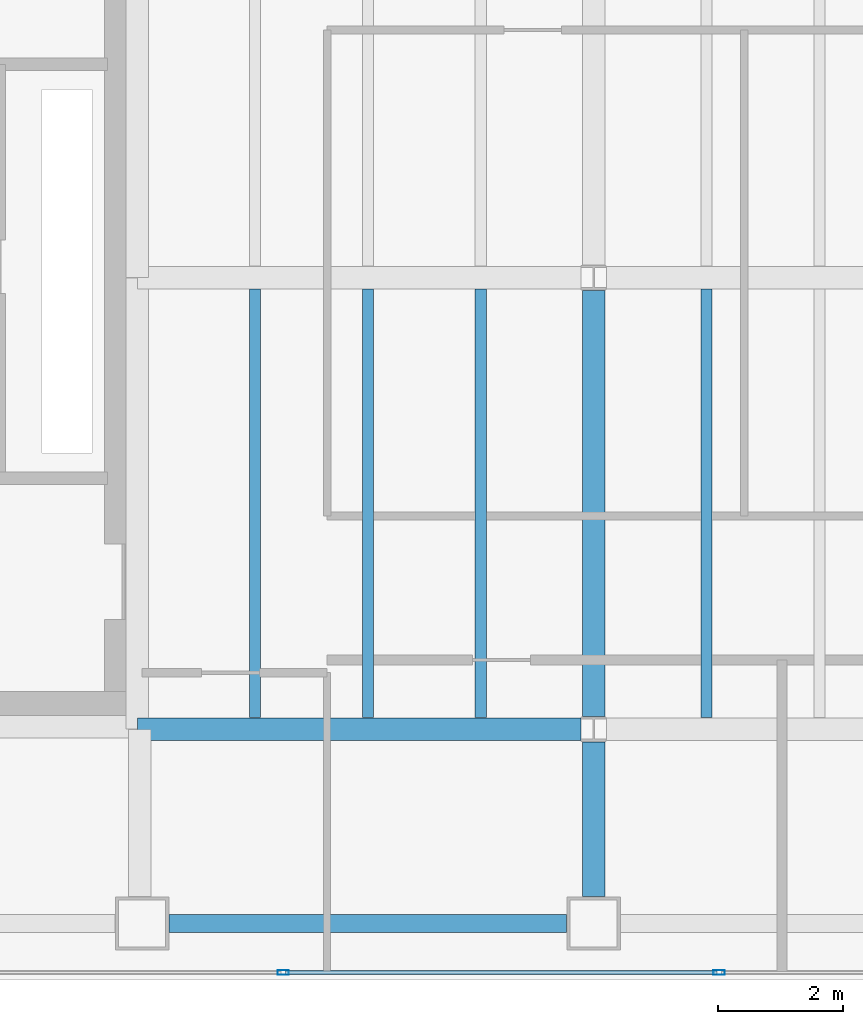
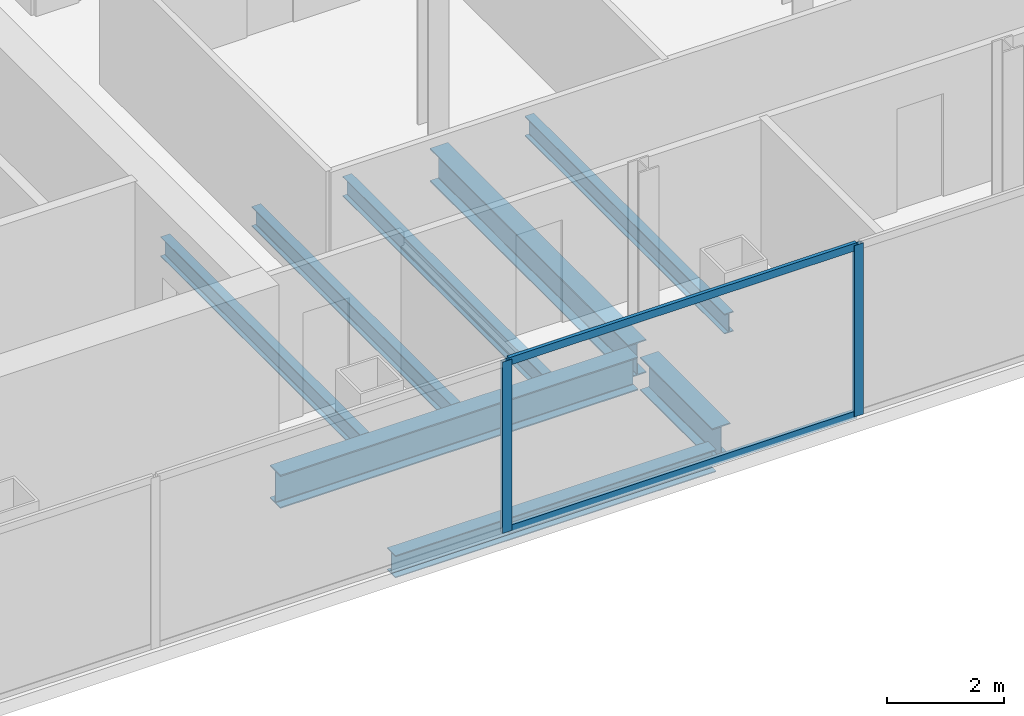
# One storey, part 4 of 23: 8 beams, 4 members, 1 element without a shape of its own.
"""IFC4 building model written with IfcOpenShell, lengths in metres."""

from ifc_helpers import new_model, si_unit, direction, frame, origin, origin_2d, place, context, subcontext, project, spatial, hollow_rectangle, i_section, extrude, material, material_profile, profile_set, type_object, element, aggregate, save


model = new_model("IFC4")

# Units and contexts
model_context = context("Model", 3, precision=1e-05, world=origin(), true_north=direction((0.0, 1.0)))
body_context = subcontext(model_context, "Body", "Model", "MODEL_VIEW")
ifc_project = project(units=[si_unit("LENGTHUNIT", "METRE"), si_unit("AREAUNIT", "SQUARE_METRE"), si_unit("VOLUMEUNIT", "CUBIC_METRE"), si_unit("PLANEANGLEUNIT", "RADIAN"), si_unit("MASSUNIT", "GRAM", prefix="KILO")], contexts=[model_context])

# Site, building, storey
site_placement = place(None, origin())
site = spatial("IfcSite", under=ifc_project, at=site_placement, CompositionType="ELEMENT")
building_placement = place(site_placement, origin())
building = spatial("IfcBuilding", under=site, at=building_placement, Name="Cobrela Telecom Tower", CompositionType="ELEMENT")
storey_placement = place(building_placement, frame((0.0, 0.0, 156.10009765625)))
storey = spatial("IfcBuildingStorey", under=building, at=storey_placement, Name="L39", CompositionType="ELEMENT", Elevation=156.10009765625)

# Beams
ifc_material_1 = material(Name="Steel ASTM A992 Grade 50", Category="steel")
ifc_material_profile_1 = material_profile(ifc_material_1, i_section(OverallWidth=0.35595703125, OverallDepth=0.696044921875, WebThickness=0.015380859375, FlangeThickness=0.024658203125, FilletRadius=0.01806640625, at=origin_2d()), Name="W27X146")
ifc_profile_set_1 = profile_set([ifc_material_profile_1], Name="Steel ASTM A992 Grade 50")
beam_type_1 = type_object("IfcBeamType", Name="BM-GIRD-05", PredefinedType="USERDEFINED", material=ifc_profile_set_1)
beam_1_placement = place(storey_placement, frame((14.324951171875, 7.199951171875, -0.6181640625), z_axis=(1.0, 0.0, 0.0), x_axis=(0.0, 1.0, 0.0)))
element("IfcBeam", 1, at=beam_1_placement, inside=storey, type_object=beam_type_1, Name="L39 Primary Girder X08", ObjectType="GIRDER", PredefinedType="USERDEFINED", context=body_context, shape_type="SweptSolid", body=[
    extrude(i_section(OverallWidth=0.35595703125, OverallDepth=0.696044921875, WebThickness=0.015380859375, FlangeThickness=0.024658203125, FilletRadius=0.01806640625, at=origin_2d()), origin(), (0.0, 0.0, 1.0), 7.070556640625),
])
beam_2_placement = place(storey_placement, frame((21.60009765625, 4.530029296875, -0.6181640625), z_axis=(0.0, 1.0, 0.0), x_axis=(-1.0, 0.0, 0.0)))
element("IfcBeam", 2, at=beam_2_placement, inside=storey, type_object=beam_type_1, Name="L39 Primary Girder Y35", ObjectType="GIRDER", PredefinedType="USERDEFINED", context=body_context, shape_type="SweptSolid", body=[
    extrude(i_section(OverallWidth=0.35595703125, OverallDepth=0.696044921875, WebThickness=0.015380859375, FlangeThickness=0.024658203125, FilletRadius=0.01806640625, at=origin_2d()), origin(), (0.0, 0.0, 1.0), 2.465576171875),
])
beam_3_placement = place(storey_placement, frame((21.60009765625, 7.404541015625, -0.6181640625), z_axis=(0.0, 1.0, 0.0), x_axis=(-1.0, 0.0, 0.0)))
element("IfcBeam", 3, at=beam_3_placement, inside=storey, type_object=beam_type_1, Name="L39 Primary Girder Y36", ObjectType="GIRDER", PredefinedType="USERDEFINED", context=body_context, shape_type="SweptSolid", body=[
    extrude(i_section(OverallWidth=0.35595703125, OverallDepth=0.696044921875, WebThickness=0.015380859375, FlangeThickness=0.024658203125, FilletRadius=0.01806640625, at=origin_2d()), origin(), (0.0, 0.0, 1.0), 6.791015625),
])
ifc_material_profile_2 = material_profile(ifc_material_1, i_section(OverallWidth=0.179931640625, OverallDepth=0.4169921875, WebThickness=0.010986328125, FlangeThickness=0.01806640625, FilletRadius=0.011962890625, at=origin_2d()), Name="W16X57")
ifc_profile_set_2 = profile_set([ifc_material_profile_2], Name="Steel ASTM A992 Grade 50")
beam_type_2 = type_object("IfcBeamType", Name="BM-JOIST-04", PredefinedType="JOIST", material=ifc_profile_set_2)
for number, where, z_axis, x_axis, name in (
    (4, (16.199951171875, 7.383056640625, -0.478515625), (0.0, 1.0, 0.0), (-1.0, 0.0, 0.0), "L39 Secondary Composite Floor Beam J04"),
    (5, (18.0, 7.383056640625, -0.478515625), (0.0, 1.0, 0.0), (-1.0, 0.0, 0.0), "L39 Secondary Composite Floor Beam J09"),
    (6, (19.800048828125, 7.383056640625, -0.478515625), (0.0, 1.0, 0.0), (-1.0, 0.0, 0.0), "L39 Secondary Composite Floor Beam J14"),
    (7, (23.39990234375, 7.383056640625, -0.478515625), (0.0, 1.0, 0.0), (-1.0, 0.0, 0.0), "L39 Secondary Composite Floor Beam J19"),
):
    element("IfcBeam", number, at=place(storey_placement, frame(where, z_axis=z_axis, x_axis=x_axis)), inside=storey, type_object=beam_type_2, Name=name, PredefinedType="JOIST", context=body_context, shape_type="SweptSolid", body=[
        extrude(i_section(OverallWidth=0.179931640625, OverallDepth=0.4169921875, WebThickness=0.010986328125, FlangeThickness=0.01806640625, FilletRadius=0.011962890625, at=origin_2d()), origin(), (0.0, 0.0, 1.0), 6.833984375),
    ])
ifc_material_profile_3 = material_profile(ifc_material_1, i_section(OverallWidth=0.281982421875, OverallDepth=0.467041015625, WebThickness=0.01220703125, FlangeThickness=0.01953125, FilletRadius=0.012939453125, at=origin_2d()), Name="W18X86")
ifc_profile_set_3 = profile_set([ifc_material_profile_3], Name="Steel ASTM A992 Grade 50")
beam_type_3 = type_object("IfcBeamType", Name="BM-SPAND-04", PredefinedType="SPANDREL", material=ifc_profile_set_3)
beam_4_placement = place(storey_placement, frame((14.830078125, 4.10009765625, -0.503662109375), z_axis=(1.0, 0.0, 0.0), x_axis=(0.0, 1.0, 0.0)))
element("IfcBeam", 8, at=beam_4_placement, inside=storey, type_object=beam_type_3, Name="L39 Perimeter Spandrel X02", PredefinedType="SPANDREL", context=body_context, shape_type="SweptSolid", body=[
    extrude(i_section(OverallWidth=0.281982421875, OverallDepth=0.467041015625, WebThickness=0.01220703125, FlangeThickness=0.01953125, FilletRadius=0.012939453125, at=origin_2d()), origin(), (0.0, 0.0, 1.0), 6.33984375),
])

# Curtain wall, members
ifc_material_2 = material(Name="Anodized Bronze Aluminium 6063-T6", Category="aluminium")
curtain_wall_type = type_object("IfcCurtainWallType", Name="CW-SYS-TEL", PredefinedType="USERDEFINED", material=ifc_material_2)
curtain_wall_placement = place(storey_placement, origin())
curtain_wall = element("IfcCurtainWall", 9, at=curtain_wall_placement, inside=storey, type_object=curtain_wall_type, Name="L39 Unitised Bronze Curtain Wall 17", ObjectType="UNITISED CURTAIN WALL", PredefinedType="USERDEFINED")
ifc_material_profile_4 = material_profile(ifc_material_2, hollow_rectangle(XDim=0.074951171875, YDim=0.179931640625, WallThickness=0.00390625, at=origin_2d()), Name="ALU 75x180x4")
ifc_profile_set_4 = profile_set([ifc_material_profile_4], Name="Anodized Bronze Aluminium 6063-T6")
member_type_1 = type_object("IfcMemberType", Name="CW-SYS-TEL-MUL", PredefinedType="MULLION", material=ifc_profile_set_4)
member_1_placement = place(storey_placement, frame((23.60009765625, 3.320068359375, 0.0), z_axis=(0.0, 0.0, 1.0), x_axis=(0.0, -1.0, 0.0)))
member_1 = element("IfcMember", 10, at=member_1_placement, type_object=member_type_1, Name="CW-TEL mullion 4", PredefinedType="MULLION", context=body_context, shape_type="SweptSolid", body=[
    extrude(hollow_rectangle(XDim=0.074951171875, YDim=0.179931640625, WallThickness=0.00390625, at=origin_2d()), origin(), (0.0, 0.0, 1.0), 3.579833984375),
])
member_2_placement = place(storey_placement, frame((16.64990234375, 3.320068359375, 0.0), z_axis=(0.0, 0.0, 1.0), x_axis=(0.0, -1.0, 0.0)))
member_2 = element("IfcMember", 11, at=member_2_placement, type_object=member_type_1, Name="CW-TEL mullion 5", PredefinedType="MULLION", context=body_context, shape_type="SweptSolid", body=[
    extrude(hollow_rectangle(XDim=0.074951171875, YDim=0.179931640625, WallThickness=0.00390625, at=origin_2d()), origin(), (0.0, 0.0, 1.0), 3.579833984375),
])
ifc_material_profile_5 = material_profile(ifc_material_2, hollow_rectangle(XDim=0.070068359375, YDim=0.159912109375, WallThickness=0.00390625, at=origin_2d()), Name="ALU 70x160x4")
ifc_profile_set_5 = profile_set([ifc_material_profile_5], Name="Anodized Bronze Aluminium 6063-T6")
member_type_2 = type_object("IfcMemberType", Name="CW-SYS-TEL-TRN", PredefinedType="USERDEFINED", material=ifc_profile_set_5)
member_3_placement = place(storey_placement, frame((23.5625, 3.320068359375, 0.034912109375), z_axis=(-1.0, 0.0, 0.0), x_axis=(0.0, -1.0, 0.0)))
member_3 = element("IfcMember", 12, at=member_3_placement, type_object=member_type_2, Name="CW-TEL transom 4.1", ObjectType="TRANSOM", PredefinedType="USERDEFINED", context=body_context, shape_type="SweptSolid", body=[
    extrude(hollow_rectangle(XDim=0.070068359375, YDim=0.159912109375, WallThickness=0.00390625, at=origin_2d()), origin(), (0.0, 0.0, 1.0), 6.875),
])
member_4_placement = place(storey_placement, frame((23.5625, 3.320068359375, 3.544921875), z_axis=(-1.0, 0.0, 0.0), x_axis=(0.0, -1.0, 0.0)))
member_4 = element("IfcMember", 13, at=member_4_placement, type_object=member_type_2, Name="CW-TEL transom 4.2", ObjectType="TRANSOM", PredefinedType="USERDEFINED", context=body_context, shape_type="SweptSolid", body=[
    extrude(hollow_rectangle(XDim=0.070068359375, YDim=0.159912109375, WallThickness=0.00390625, at=origin_2d()), origin(), (0.0, 0.0, 1.0), 6.875),
])
aggregate(curtain_wall, [member_1, member_2, member_3, member_4])

save(model, "model.ifc")
